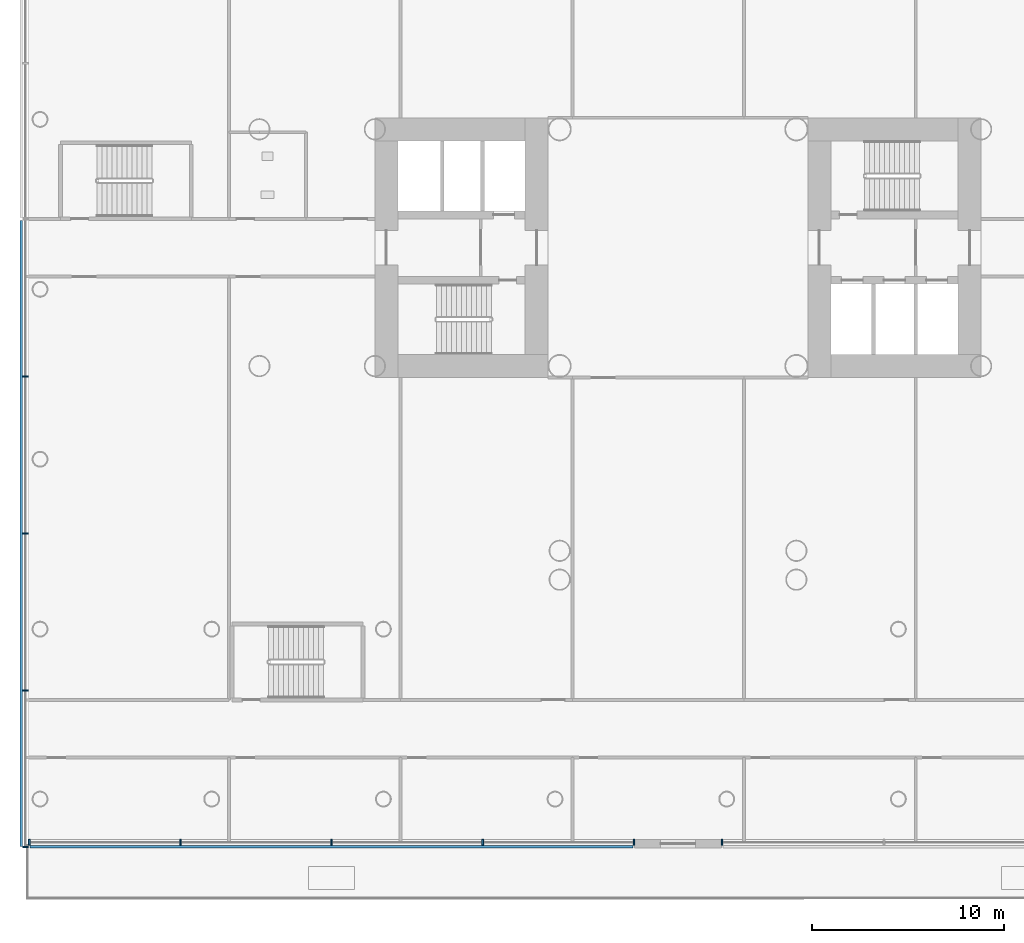
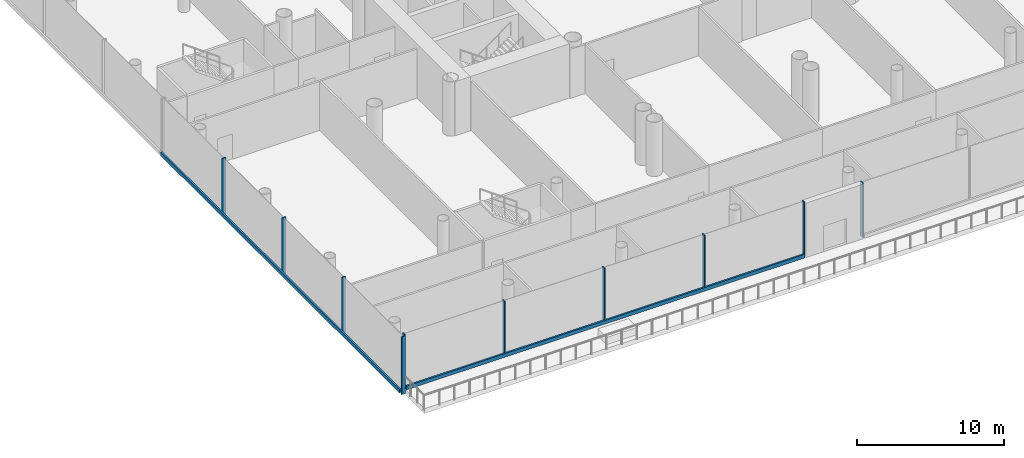
# One storey, part 5 of 49: 12 members, 3 elements without a shape of their own.
"""IFC4 building model written with IfcOpenShell, lengths in metres."""

from ifc_helpers import new_model, si_unit, direction, frame, origin, origin_2d, place, context, subcontext, project, spatial, rectangle, extrude, material, layer, layer_set, material_profile, profile_set, type_object, element, aggregate, save


model = new_model("IFC4")

# Units and contexts
model_context = context("Model", 3, precision=1e-05, world=origin(), true_north=direction((0.0, 1.0)))
body_context = subcontext(model_context, "Body", "Model", "MODEL_VIEW")
ifc_project = project(units=[si_unit("LENGTHUNIT", "METRE"), si_unit("AREAUNIT", "SQUARE_METRE"), si_unit("VOLUMEUNIT", "CUBIC_METRE"), si_unit("PLANEANGLEUNIT", "RADIAN"), si_unit("MASSUNIT", "GRAM", prefix="KILO")], contexts=[model_context])

# Site, building, storey
site_placement = place(None, origin())
site = spatial("IfcSite", under=ifc_project, at=site_placement, CompositionType="ELEMENT")
building_placement = place(site_placement, origin())
building = spatial("IfcBuilding", under=site, at=building_placement, Name="Ipe Terrace Towers", CompositionType="ELEMENT")
storey_placement = place(building_placement, frame((0.0, 0.0, 20.0)))
storey = spatial("IfcBuildingStorey", under=building, at=storey_placement, Name="L04", CompositionType="ELEMENT", Elevation=20.0)

# Curtain wall, members
ifc_material_1 = material(Name="Aluminium alloy 6063-T6", Category="aluminium")
ifc_layer = layer(ifc_material_1, 0.43994140625)
ifc_layer_set = layer_set([ifc_layer], Name="PODIUM GLAZING CURTAIN WALL")
curtain_wall_type = type_object("IfcCurtainWallType", Name="PODIUM GLAZING CURTAIN WALL", PredefinedType="NOTDEFINED", material=ifc_layer_set)
curtain_wall_1_placement = place(storey_placement, origin())
curtain_wall_1 = element("IfcCurtainWall", 1, at=curtain_wall_1_placement, inside=storey, type_object=curtain_wall_type, Name="POD-CW-L04-02b curtain wall", PredefinedType="NOTDEFINED")
ifc_material_2 = material(Name="Aluminium alloy 6063-T6", Category="aluminium")
ifc_material_profile_1 = material_profile(ifc_material_2, rectangle(XDim=0.300048828125, YDim=0.080078125, at=origin_2d()), Name="PODIUM GLAZING MULLION 300 x 80")
ifc_profile_set_1 = profile_set([ifc_material_profile_1], Name="Aluminium alloy 6063-T6")
member_type_1 = type_object("IfcMemberType", Name="PODIUM GLAZING MULLION 300 x 80", PredefinedType="MULLION", material=ifc_profile_set_1)
member_1_placement = place(storey_placement, frame((-69.89990234375, -6.6923828125, -0.300048828125), z_axis=(0.0, 0.0, 1.0), x_axis=(-1.0, 0.0, 0.0)))
member_1 = element("IfcMember", 2, at=member_1_placement, type_object=member_type_1, Name="POD-CW-L04-02b mullion 2", PredefinedType="MULLION", context=body_context, shape_type="SweptSolid", body=[
    extrude(rectangle(XDim=0.300048828125, YDim=0.080078125, at=origin_2d()), origin(), (0.0, 0.0, 1.0), 4.800048828125),
])
member_2_placement = place(storey_placement, frame((-69.89990234375, -14.844970703125, -0.300048828125), z_axis=(0.0, 0.0, 1.0), x_axis=(-1.0, 0.0, 0.0)))
member_2 = element("IfcMember", 3, at=member_2_placement, type_object=member_type_1, Name="POD-CW-L04-02b mullion 3", PredefinedType="MULLION", context=body_context, shape_type="SweptSolid", body=[
    extrude(rectangle(XDim=0.300048828125, YDim=0.080078125, at=origin_2d()), origin(), (0.0, 0.0, 1.0), 4.800048828125),
])
member_3_placement = place(storey_placement, frame((-69.89990234375, -22.99755859375, -0.300048828125), z_axis=(0.0, 0.0, 1.0), x_axis=(-1.0, 0.0, 0.0)))
member_3 = element("IfcMember", 4, at=member_3_placement, type_object=member_type_1, Name="POD-CW-L04-02b mullion 4", PredefinedType="MULLION", context=body_context, shape_type="SweptSolid", body=[
    extrude(rectangle(XDim=0.300048828125, YDim=0.080078125, at=origin_2d()), origin(), (0.0, 0.0, 1.0), 4.800048828125),
])
member_4_placement = place(storey_placement, frame((-69.89990234375, -31.14990234375, -0.300048828125), z_axis=(0.0, 0.0, 1.0), x_axis=(-1.0, 0.0, 0.0)))
member_4 = element("IfcMember", 5, at=member_4_placement, type_object=member_type_1, Name="POD-CW-L04-02b mullion 5", PredefinedType="MULLION", context=body_context, shape_type="SweptSolid", body=[
    extrude(rectangle(XDim=0.300048828125, YDim=0.080078125, at=origin_2d()), origin(), (0.0, 0.0, 1.0), 4.800048828125),
])

curtain_wall_2_placement = place(storey_placement, origin())
curtain_wall_2 = element("IfcCurtainWall", 6, at=curtain_wall_2_placement, inside=storey, type_object=curtain_wall_type, Name="POD-CW-L04-03a curtain wall", PredefinedType="NOTDEFINED")
member_5_placement = place(storey_placement, frame((-69.7099609375, -30.89990234375, -0.02001953125), z_axis=(0.0, 0.0, 1.0), x_axis=(0.0, -1.0, 0.0)))
member_5 = element("IfcMember", 7, at=member_5_placement, type_object=member_type_1, Name="POD-CW-L04-03a mullion 1", PredefinedType="MULLION", context=body_context, shape_type="SweptSolid", body=[
    extrude(rectangle(XDim=0.300048828125, YDim=0.080078125, at=origin_2d()), origin(), (0.0, 0.0, 1.0), 4.52001953125),
])
member_6_placement = place(storey_placement, frame((-61.85498046875, -30.89990234375, -0.02001953125), z_axis=(0.0, 0.0, 1.0), x_axis=(0.0, -1.0, 0.0)))
member_6 = element("IfcMember", 8, at=member_6_placement, type_object=member_type_1, Name="POD-CW-L04-03a mullion 2", PredefinedType="MULLION", context=body_context, shape_type="SweptSolid", body=[
    extrude(rectangle(XDim=0.300048828125, YDim=0.080078125, at=origin_2d()), origin(), (0.0, 0.0, 1.0), 4.52001953125),
])
member_7_placement = place(storey_placement, frame((-54.0, -30.89990234375, -0.02001953125), z_axis=(0.0, 0.0, 1.0), x_axis=(0.0, -1.0, 0.0)))
member_7 = element("IfcMember", 9, at=member_7_placement, type_object=member_type_1, Name="POD-CW-L04-03a mullion 3", PredefinedType="MULLION", context=body_context, shape_type="SweptSolid", body=[
    extrude(rectangle(XDim=0.300048828125, YDim=0.080078125, at=origin_2d()), origin(), (0.0, 0.0, 1.0), 4.52001953125),
])
member_8_placement = place(storey_placement, frame((-46.14501953125, -30.89990234375, -0.02001953125), z_axis=(0.0, 0.0, 1.0), x_axis=(0.0, -1.0, 0.0)))
member_8 = element("IfcMember", 10, at=member_8_placement, type_object=member_type_1, Name="POD-CW-L04-03a mullion 4", PredefinedType="MULLION", context=body_context, shape_type="SweptSolid", body=[
    extrude(rectangle(XDim=0.300048828125, YDim=0.080078125, at=origin_2d()), origin(), (0.0, 0.0, 1.0), 4.52001953125),
])
member_9_placement = place(storey_placement, frame((-38.2900390625, -30.89990234375, -0.02001953125), z_axis=(0.0, 0.0, 1.0), x_axis=(0.0, -1.0, 0.0)))
member_9 = element("IfcMember", 11, at=member_9_placement, type_object=member_type_1, Name="POD-CW-L04-03a mullion 5", PredefinedType="MULLION", context=body_context, shape_type="SweptSolid", body=[
    extrude(rectangle(XDim=0.300048828125, YDim=0.080078125, at=origin_2d()), origin(), (0.0, 0.0, 1.0), 4.52001953125),
])

# Curtain wall, member
curtain_wall_3_placement = place(storey_placement, origin())
curtain_wall_3 = element("IfcCurtainWall", 12, at=curtain_wall_3_placement, inside=storey, type_object=curtain_wall_type, Name="POD-CW-L04-03c curtain wall", PredefinedType="NOTDEFINED")
member_10_placement = place(storey_placement, frame((-33.7099609375, -30.89990234375, -0.02001953125), z_axis=(0.0, 0.0, 1.0), x_axis=(0.0, -1.0, 0.0)))
member_10 = element("IfcMember", 13, at=member_10_placement, type_object=member_type_1, Name="POD-CW-L04-03c mullion 1", PredefinedType="MULLION", context=body_context, shape_type="SweptSolid", body=[
    extrude(rectangle(XDim=0.300048828125, YDim=0.080078125, at=origin_2d()), origin(), (0.0, 0.0, 1.0), 4.52001953125),
])
aggregate(curtain_wall_3, [member_10])

# Member
ifc_material_3 = material(Name="Aluminium alloy 6063-T6", Category="aluminium")
ifc_material_profile_2 = material_profile(ifc_material_3, rectangle(XDim=0.139892578125, YDim=0.300048828125, at=origin_2d()), Name="PODIUM GLAZING TRANSOM 140 x 300")
ifc_profile_set_2 = profile_set([ifc_material_profile_2], Name="Aluminium alloy 6063-T6")
member_type_2 = type_object("IfcMemberType", Name="PODIUM GLAZING TRANSOM 140 x 300", PredefinedType="USERDEFINED", material=ifc_profile_set_2)
member_11_placement = place(storey_placement, frame((-70.1201171875, 1.419921875, 0.0), z_axis=(0.0, -1.0, 0.0), x_axis=(-1.0, 0.0, 0.0)))
member_11 = element("IfcMember", 14, at=member_11_placement, type_object=member_type_2, Name="POD-CW-L04-02b transom", ObjectType="TRANSOM", PredefinedType="USERDEFINED", context=body_context, shape_type="SweptSolid", body=[
    extrude(rectangle(XDim=0.139892578125, YDim=0.300048828125, at=origin_2d()), origin(), (0.0, 0.0, 1.0), 32.530029296875),
])

aggregate(curtain_wall_1, [member_1, member_2, member_3, member_4, member_11])

member_12_placement = place(storey_placement, frame((-69.669921875, -31.1201171875, 0.1298828125), z_axis=(1.0, 0.0, 0.0), x_axis=(0.0, -1.0, 0.0)))
member_12 = element("IfcMember", 15, at=member_12_placement, type_object=member_type_2, Name="POD-CW-L04-03a transom", ObjectType="TRANSOM", PredefinedType="USERDEFINED", context=body_context, shape_type="SweptSolid", body=[
    extrude(rectangle(XDim=0.139892578125, YDim=0.300048828125, at=origin_2d()), origin(), (0.0, 0.0, 1.0), 31.33984375),
])

aggregate(curtain_wall_2, [member_5, member_6, member_7, member_8, member_9, member_12])

save(model, "model.ifc")
